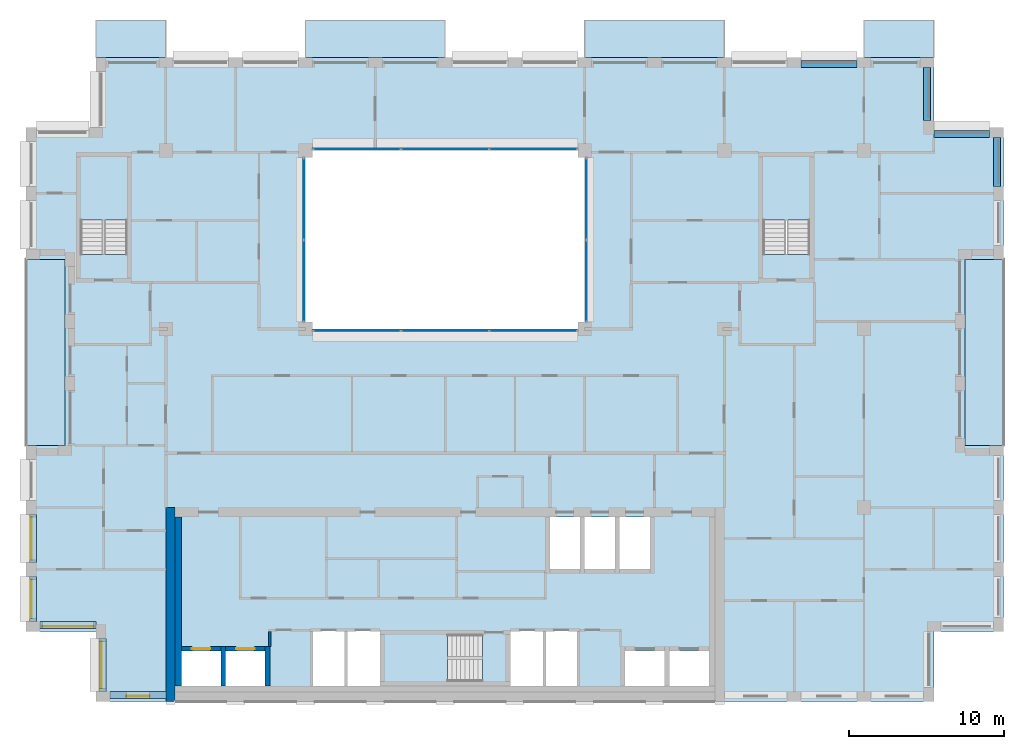
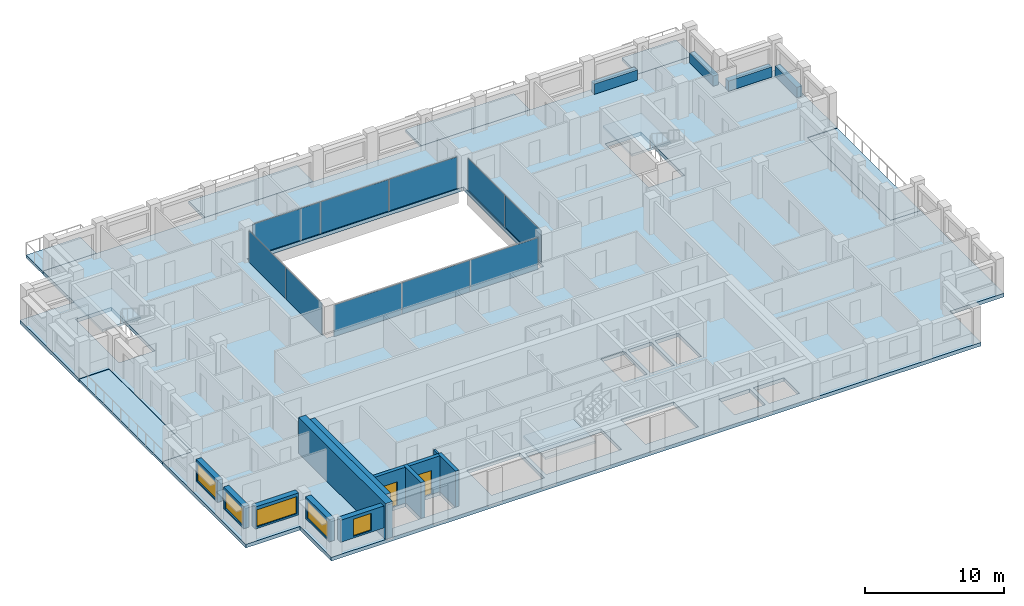
# One storey, part 7 of 15: 12 walls, 10 plates, 10 slabs, 5 windows, 4 beams, 2 doors, 7 openings, 7 elements without a shape of their own.
"""IFC4 building model written with IfcOpenShell, lengths in metres."""

from ifc_helpers import new_model, si_unit, direction, frame, frame_2d, origin, origin_2d, place, context, subcontext, project, spatial, polyline, rectangle, outline, extrude, material, layer, layer_set, material_profile, profile_set, type_object, element, fill, aggregate, save


model = new_model("IFC4")

# Units and contexts
model_context = context("Model", 3, precision=1e-05, world=origin(), true_north=direction((0.0, 1.0)))
body_context = subcontext(model_context, "Body", "Model", "MODEL_VIEW")
ifc_project = project(units=[si_unit("LENGTHUNIT", "METRE"), si_unit("AREAUNIT", "SQUARE_METRE"), si_unit("VOLUMEUNIT", "CUBIC_METRE"), si_unit("PLANEANGLEUNIT", "RADIAN"), si_unit("MASSUNIT", "GRAM", prefix="KILO")], contexts=[model_context])

# Site, building, storey
site_placement = place(None, origin())
site = spatial("IfcSite", under=ifc_project, at=site_placement, CompositionType="ELEMENT")
building_placement = place(site_placement, origin())
building = spatial("IfcBuilding", under=site, at=building_placement, Name="Brigalow Station Residences", CompositionType="ELEMENT")
storey_placement = place(building_placement, frame((0.0, 0.0, 223.199951171875)))
storey = spatial("IfcBuildingStorey", under=building, at=storey_placement, Name="L64", CompositionType="ELEMENT", Elevation=223.199951171875)

# Beams
ifc_material_1 = material(Name="Concrete C50", Category="concrete")
ifc_material_profile = material_profile(ifc_material_1, rectangle(XDim=0.449951171875, YDim=0.89990234375, at=origin_2d()), Name="RC450x900")
ifc_profile_set = profile_set([ifc_material_profile], Name="Concrete C50")
beam_type = type_object("IfcBeamType", Name="SPANDREL BEAM 450x900 C50", PredefinedType="SPANDREL", material=ifc_profile_set)
beam_1_placement = place(storey_placement, frame((71.574951171875, 33.199951171875, 0.449951171875), z_axis=(0.0, 1.0, 0.0), x_axis=(-1.0, 0.0, 0.0)))
element("IfcBeam", 1, at=beam_1_placement, inside=storey, type_object=beam_type, Name="L64/spandrel/W-L64-17", PredefinedType="SPANDREL", context=body_context, shape_type="SweptSolid", body=[
    extrude(rectangle(XDim=0.449951171875, YDim=0.89990234375, at=origin_2d()), origin(), (0.0, 0.0, 1.0), 3.150146484375),
])
beam_2_placement = place(storey_placement, frame((71.10009765625, 36.574951171875, 0.449951171875), z_axis=(-1.0, 0.0, 0.0), x_axis=(0.0, -1.0, 0.0)))
element("IfcBeam", 2, at=beam_2_placement, inside=storey, type_object=beam_type, Name="L64/spandrel/W-L64-18", PredefinedType="SPANDREL", context=body_context, shape_type="SweptSolid", body=[
    extrude(rectangle(XDim=0.449951171875, YDim=0.89990234375, at=origin_2d()), origin(), (0.0, 0.0, 1.0), 3.60009765625),
])
beam_3_placement = place(storey_placement, frame((67.074951171875, 37.449951171875, 0.449951171875), z_axis=(0.0, 1.0, 0.0), x_axis=(-1.0, 0.0, 0.0)))
element("IfcBeam", 3, at=beam_3_placement, inside=storey, type_object=beam_type, Name="L64/spandrel/W-L64-19", PredefinedType="SPANDREL", context=body_context, shape_type="SweptSolid", body=[
    extrude(rectangle(XDim=0.449951171875, YDim=0.89990234375, at=origin_2d()), origin(), (0.0, 0.0, 1.0), 3.400146484375),
])
beam_4_placement = place(storey_placement, frame((62.550048828125, 41.074951171875, 0.449951171875), z_axis=(-1.0, 0.0, 0.0), x_axis=(0.0, -1.0, 0.0)))
element("IfcBeam", 4, at=beam_4_placement, inside=storey, type_object=beam_type, Name="L64/spandrel/W-L64-21", PredefinedType="SPANDREL", context=body_context, shape_type="SweptSolid", body=[
    extrude(rectangle(XDim=0.449951171875, YDim=0.89990234375, at=origin_2d()), origin(), (0.0, 0.0, 1.0), 3.60009765625),
])

# Curtain wall, plates
ifc_material_2 = material(Name="Aluminium", Category="aluminium")
ifc_layer_1 = layer(ifc_material_2, 0.14990234375)
ifc_layer_set_1 = layer_set([ifc_layer_1], Name="ATRIUM FIRE-RATED GLAZING CURTAIN WALL")
curtain_wall_type = type_object("IfcCurtainWallType", Name="ATRIUM FIRE-RATED GLAZING CURTAIN WALL", PredefinedType="NOTDEFINED", material=ifc_layer_set_1)
curtain_wall_1_placement = place(storey_placement, origin())
curtain_wall_1 = element("IfcCurtainWall", 5, at=curtain_wall_1_placement, inside=storey, type_object=curtain_wall_type, Name="L64/cw/atrium-S", PredefinedType="NOTDEFINED")
ifc_material_3 = material(Name="Fire-resisting laminated glazing, FRL -/60/-", Category="glass")
ifc_layer_2 = layer(ifc_material_3, 0.031982421875)
ifc_layer_set_2 = layer_set([ifc_layer_2], Name="ATRIUM FIRE-RATED GLAZING PANEL 32")
plate_type = type_object("IfcPlateType", Name="ATRIUM FIRE-RATED GLAZING PANEL 32", PredefinedType="CURTAIN_PANEL", material=ifc_layer_set_2)
plate_1_placement = place(storey_placement, frame((30.31494140625, 23.89990234375, 0.0), z_axis=(0.0, 0.0, 1.0), x_axis=(1.0, 0.0, 0.0)))
plate_1 = element("IfcPlate", 6, at=plate_1_placement, type_object=plate_type, Name="L64/cw/atrium-S/P00-00", PredefinedType="CURTAIN_PANEL", context=body_context, shape_type="SweptSolid", body=[
    extrude(rectangle(XDim=5.610107421875, YDim=0.031982421875, at=origin_2d()), origin(), (0.0, 0.0, 1.0), 2.77001953125),
])
plate_2_placement = place(storey_placement, frame((36.0, 23.89990234375, 0.0), z_axis=(0.0, 0.0, 1.0), x_axis=(1.0, 0.0, 0.0)))
plate_2 = element("IfcPlate", 7, at=plate_2_placement, type_object=plate_type, Name="L64/cw/atrium-S/P01-00", PredefinedType="CURTAIN_PANEL", context=body_context, shape_type="SweptSolid", body=[
    extrude(rectangle(XDim=5.639892578125, YDim=0.031982421875, at=origin_2d()), origin(), (0.0, 0.0, 1.0), 2.77001953125),
])
plate_3_placement = place(storey_placement, frame((41.68505859375, 23.89990234375, 0.0), z_axis=(0.0, 0.0, 1.0), x_axis=(1.0, 0.0, 0.0)))
plate_3 = element("IfcPlate", 8, at=plate_3_placement, type_object=plate_type, Name="L64/cw/atrium-S/P02-00", PredefinedType="CURTAIN_PANEL", context=body_context, shape_type="SweptSolid", body=[
    extrude(rectangle(XDim=5.610107421875, YDim=0.031982421875, at=origin_2d()), origin(), (0.0, 0.0, 1.0), 2.77001953125),
])
aggregate(curtain_wall_1, [plate_1, plate_2, plate_3])

curtain_wall_2_placement = place(storey_placement, origin())
curtain_wall_2 = element("IfcCurtainWall", 9, at=curtain_wall_2_placement, inside=storey, type_object=curtain_wall_type, Name="L64/cw/atrium-E", PredefinedType="NOTDEFINED")
plate_4_placement = place(storey_placement, frame((45.10009765625, 27.114990234375, 0.0), z_axis=(0.0, 0.0, 1.0), x_axis=(0.0, 1.0, 0.0)))
plate_4 = element("IfcPlate", 10, at=plate_4_placement, type_object=plate_type, Name="L64/cw/atrium-E/P00-00", PredefinedType="CURTAIN_PANEL", context=body_context, shape_type="SweptSolid", body=[
    extrude(rectangle(XDim=5.2099609375, YDim=0.031982421875, at=origin_2d()), origin(), (0.0, 0.0, 1.0), 2.77001953125),
])
plate_5_placement = place(storey_placement, frame((45.10009765625, 32.385009765625, 0.0), z_axis=(0.0, 0.0, 1.0), x_axis=(0.0, 1.0, 0.0)))
plate_5 = element("IfcPlate", 11, at=plate_5_placement, type_object=plate_type, Name="L64/cw/atrium-E/P01-00", PredefinedType="CURTAIN_PANEL", context=body_context, shape_type="SweptSolid", body=[
    extrude(rectangle(XDim=5.2099609375, YDim=0.031982421875, at=origin_2d()), origin(), (0.0, 0.0, 1.0), 2.77001953125),
])
aggregate(curtain_wall_2, [plate_4, plate_5])

curtain_wall_3_placement = place(storey_placement, origin())
curtain_wall_3 = element("IfcCurtainWall", 12, at=curtain_wall_3_placement, inside=storey, type_object=curtain_wall_type, Name="L64/cw/atrium-N", PredefinedType="NOTDEFINED")
plate_6_placement = place(storey_placement, frame((41.68505859375, 35.60009765625, 0.0), z_axis=(0.0, 0.0, 1.0), x_axis=(-1.0, 0.0, 0.0)))
plate_6 = element("IfcPlate", 13, at=plate_6_placement, type_object=plate_type, Name="L64/cw/atrium-N/P00-00", PredefinedType="CURTAIN_PANEL", context=body_context, shape_type="SweptSolid", body=[
    extrude(rectangle(XDim=5.610107421875, YDim=0.031982421875, at=origin_2d()), origin(), (0.0, 0.0, 1.0), 2.77001953125),
])
plate_7_placement = place(storey_placement, frame((36.0, 35.60009765625, 0.0), z_axis=(0.0, 0.0, 1.0), x_axis=(-1.0, 0.0, 0.0)))
plate_7 = element("IfcPlate", 14, at=plate_7_placement, type_object=plate_type, Name="L64/cw/atrium-N/P01-00", PredefinedType="CURTAIN_PANEL", context=body_context, shape_type="SweptSolid", body=[
    extrude(rectangle(XDim=5.639892578125, YDim=0.031982421875, at=origin_2d()), origin(), (0.0, 0.0, 1.0), 2.77001953125),
])
plate_8_placement = place(storey_placement, frame((30.31494140625, 35.60009765625, 0.0), z_axis=(0.0, 0.0, 1.0), x_axis=(-1.0, 0.0, 0.0)))
plate_8 = element("IfcPlate", 15, at=plate_8_placement, type_object=plate_type, Name="L64/cw/atrium-N/P02-00", PredefinedType="CURTAIN_PANEL", context=body_context, shape_type="SweptSolid", body=[
    extrude(rectangle(XDim=5.610107421875, YDim=0.031982421875, at=origin_2d()), origin(), (0.0, 0.0, 1.0), 2.77001953125),
])
aggregate(curtain_wall_3, [plate_6, plate_7, plate_8])

curtain_wall_4_placement = place(storey_placement, origin())
curtain_wall_4 = element("IfcCurtainWall", 16, at=curtain_wall_4_placement, inside=storey, type_object=curtain_wall_type, Name="L64/cw/atrium-W", PredefinedType="NOTDEFINED")
plate_9_placement = place(storey_placement, frame((26.89990234375, 32.385009765625, 0.0), z_axis=(0.0, 0.0, 1.0), x_axis=(0.0, -1.0, 0.0)))
plate_9 = element("IfcPlate", 17, at=plate_9_placement, type_object=plate_type, Name="L64/cw/atrium-W/P00-00", PredefinedType="CURTAIN_PANEL", context=body_context, shape_type="SweptSolid", body=[
    extrude(rectangle(XDim=5.2099609375, YDim=0.031982421875, at=origin_2d()), origin(), (0.0, 0.0, 1.0), 2.77001953125),
])
plate_10_placement = place(storey_placement, frame((26.89990234375, 27.114990234375, 0.0), z_axis=(0.0, 0.0, 1.0), x_axis=(0.0, -1.0, 0.0)))
plate_10 = element("IfcPlate", 18, at=plate_10_placement, type_object=plate_type, Name="L64/cw/atrium-W/P01-00", PredefinedType="CURTAIN_PANEL", context=body_context, shape_type="SweptSolid", body=[
    extrude(rectangle(XDim=5.2099609375, YDim=0.031982421875, at=origin_2d()), origin(), (0.0, 0.0, 1.0), 2.77001953125),
])
aggregate(curtain_wall_4, [plate_9, plate_10])

# Slabs
ifc_material_4 = material(Name="Concrete C50 precast", Category="concrete")
ifc_layer_3 = layer(ifc_material_4, 0.25)
ifc_layer_set_3 = layer_set([ifc_layer_3], Name="BALCONY SLAB 250")
slab_type_1 = type_object("IfcSlabType", Name="BALCONY SLAB 250", PredefinedType="USERDEFINED", material=ifc_layer_set_3)
slab_1_placement = place(storey_placement, frame((0.0, 0.0, -0.2900390625)))
element("IfcSlab", 19, at=slab_1_placement, inside=storey, type_object=slab_type_1, Name="L64/balcony/1", ObjectType="BALCONY", PredefinedType="USERDEFINED", context=body_context, shape_type="SweptSolid", body=[
    extrude(outline(polyline([(69.5, 16.5), (72.0, 16.5), (72.0, 28.5), (69.5, 28.5), (69.5, 16.5)])), origin(), (0.0, 0.0, 1.0), 0.25),
])
slab_2_placement = place(storey_placement, frame((0.0, 0.0, -0.2900390625)))
element("IfcSlab", 20, at=slab_2_placement, inside=storey, type_object=slab_type_1, Name="L64/balcony/2", ObjectType="BALCONY", PredefinedType="USERDEFINED", context=body_context, shape_type="SweptSolid", body=[
    extrude(outline(polyline([(67.5, 41.5), (67.5, 43.89990234375), (63.0, 43.89990234375), (63.0, 41.5), (67.5, 41.5)])), origin(), (0.0, 0.0, 1.0), 0.25),
])
slab_3_placement = place(storey_placement, frame((0.0, 0.0, -0.2900390625)))
element("IfcSlab", 21, at=slab_3_placement, inside=storey, type_object=slab_type_1, Name="L64/balcony/3", ObjectType="BALCONY", PredefinedType="USERDEFINED", context=body_context, shape_type="SweptSolid", body=[
    extrude(outline(polyline([(54.0, 41.5), (54.0, 43.89990234375), (45.0, 43.89990234375), (45.0, 41.5), (54.0, 41.5)])), origin(), (0.0, 0.0, 1.0), 0.25),
])
slab_4_placement = place(storey_placement, frame((0.0, 0.0, -0.2900390625)))
element("IfcSlab", 22, at=slab_4_placement, inside=storey, type_object=slab_type_1, Name="L64/balcony/4", ObjectType="BALCONY", PredefinedType="USERDEFINED", context=body_context, shape_type="SweptSolid", body=[
    extrude(outline(polyline([(36.0, 41.5), (36.0, 43.89990234375), (27.0, 43.89990234375), (27.0, 41.5), (36.0, 41.5)])), origin(), (0.0, 0.0, 1.0), 0.25),
])
slab_5_placement = place(storey_placement, frame((0.0, 0.0, -0.2900390625)))
element("IfcSlab", 23, at=slab_5_placement, inside=storey, type_object=slab_type_1, Name="L64/balcony/5", ObjectType="BALCONY", PredefinedType="USERDEFINED", context=body_context, shape_type="SweptSolid", body=[
    extrude(outline(polyline([(18.0, 41.5), (18.0, 43.89990234375), (13.5, 43.89990234375), (13.5, 41.5), (18.0, 41.5)])), origin(), (0.0, 0.0, 1.0), 0.25),
])
slab_6_placement = place(storey_placement, frame((0.0, 0.0, -0.2900390625)))
element("IfcSlab", 24, at=slab_6_placement, inside=storey, type_object=slab_type_1, Name="L64/balcony/6", ObjectType="BALCONY", PredefinedType="USERDEFINED", context=body_context, shape_type="SweptSolid", body=[
    extrude(outline(polyline([(11.5, 28.5), (9.0, 28.5), (9.0, 16.5), (11.5, 16.5), (11.5, 28.5)])), origin(), (0.0, 0.0, 1.0), 0.25),
])
ifc_material_5 = material(Name="Concrete C50", Category="concrete")
ifc_layer_4 = layer(ifc_material_5, 0.320068359375)
ifc_layer_set_4 = layer_set([ifc_layer_4], Name="POST-TENSIONED FLAT PLATE 320 C50")
slab_type_2 = type_object("IfcSlabType", Name="POST-TENSIONED FLAT PLATE 320 C50", PredefinedType="FLOOR", material=ifc_layer_set_4)
slab_7_placement = place(storey_placement, frame((0.0, 0.0, -0.320068359375)))
element("IfcSlab", 25, at=slab_7_placement, inside=storey, type_object=slab_type_2, Name="FLOOR SLAB L64", PredefinedType="FLOOR", context=body_context, shape_type="SweptSolid", body=[
    extrude(outline(polyline([(13.5, 0.0), (67.5, 0.0), (67.5, 4.5), (72.0, 4.5), (72.0, 16.5), (69.5, 16.5), (69.5, 28.5), (72.0, 28.5), (72.0, 37.0), (67.5, 37.0), (67.5, 41.5), (13.5, 41.5), (13.5, 37.0), (9.0, 37.0), (9.0, 28.5), (11.5, 28.5), (11.5, 16.5), (9.0, 16.5), (9.0, 4.5), (13.5, 4.5), (13.5, 0.0)]), holes=[polyline([(12.5048828125, 35.094970703125), (15.4951171875, 35.094970703125), (15.4951171875, 28.804931640625), (12.5048828125, 28.804931640625), (12.5048828125, 35.094970703125)]), polyline([(19.0, 1.0), (19.0, 3.25), (21.550048828125, 3.25), (21.550048828125, 1.0), (19.0, 1.0)]), polyline([(21.85009765625, 3.25), (24.39990234375, 3.25), (24.39990234375, 1.0), (21.85009765625, 1.0), (21.85009765625, 3.25)]), polyline([(27.0, 35.5), (45.0, 35.5), (45.0, 24.0), (27.0, 24.0), (27.0, 35.5)]), polyline([(29.60009765625, 4.60009765625), (31.800048828125, 4.60009765625), (31.800048828125, 1.0), (29.60009765625, 1.0), (27.39990234375, 1.0), (27.39990234375, 4.60009765625), (29.60009765625, 4.60009765625)]), polyline([(32.10498046875, 4.294921875), (38.39501953125, 4.294921875), (38.39501953125, 1.304931640625), (32.10498046875, 1.304931640625), (32.10498046875, 4.294921875)]), polyline([(40.199951171875, 4.60009765625), (42.39990234375, 4.60009765625), (44.60009765625, 4.60009765625), (44.60009765625, 1.0), (42.39990234375, 1.0), (40.199951171875, 1.0), (40.199951171875, 4.60009765625)]), polyline([(42.75, 11.89990234375), (44.699951171875, 11.89990234375), (44.699951171875, 8.550048828125), (42.75, 8.550048828125), (42.75, 11.89990234375)]), polyline([(45.0, 11.89990234375), (46.949951171875, 11.89990234375), (46.949951171875, 8.550048828125), (45.0, 8.550048828125), (45.0, 11.89990234375)]), polyline([(47.25, 11.89990234375), (49.199951171875, 11.89990234375), (49.199951171875, 8.550048828125), (47.25, 8.550048828125), (47.25, 11.89990234375)]), polyline([(47.60009765625, 3.25), (50.14990234375, 3.25), (50.14990234375, 1.0), (47.60009765625, 1.0), (47.60009765625, 3.25)]), polyline([(50.449951171875, 3.25), (53.0, 3.25), (53.0, 1.0), (50.449951171875, 1.0), (50.449951171875, 3.25)]), polyline([(56.5048828125, 35.094970703125), (59.4951171875, 35.094970703125), (59.4951171875, 28.804931640625), (56.5048828125, 28.804931640625), (56.5048828125, 35.094970703125)])]), origin(), (0.0, 0.0, 1.0), 0.320068359375),
])

# Stair, slab
ifc_material_6 = material(Name="Concrete C50", Category="concrete")
stair_type = type_object("IfcStairType", Name="EXIT STAIR 1400 2 FLIGHT", PredefinedType="HALF_TURN_STAIR", material=ifc_material_6)
stair_1_placement = place(storey_placement, origin())
stair_1 = element("IfcStair", 26, at=stair_1_placement, inside=storey, type_object=stair_type, Name="EXIT STAIR S2 L64", PredefinedType="HALF_TURN_STAIR")
ifc_material_7 = material(Name="Concrete C50", Category="concrete")
ifc_layer_5 = layer(ifc_material_7, 0.199951171875)
ifc_layer_set_5 = layer_set([ifc_layer_5], Name="STAIR LANDING 200")
slab_type_3 = type_object("IfcSlabType", Name="STAIR LANDING 200", PredefinedType="LANDING", material=ifc_layer_set_5)
slab_8_placement = place(storey_placement, frame((0.0, 0.0, 1.375)))
slab_8 = element("IfcSlab", 27, at=slab_8_placement, type_object=slab_type_3, Name="ST-2 landing 1", PredefinedType="LANDING", context=body_context, shape_type="SweptSolid", body=[
    extrude(outline(polyline([(32.0, 1.199951171875), (36.159912109375, 1.199951171875), (36.159912109375, 4.39990234375), (32.0, 4.39990234375), (32.0, 1.199951171875)])), origin(), (0.0, 0.0, 1.0), 0.199951171875),
])
aggregate(stair_1, [slab_8])

stair_2_placement = place(storey_placement, origin())
stair_2 = element("IfcStair", 28, at=stair_2_placement, inside=storey, type_object=stair_type, Name="EXIT STAIR S1 L64", PredefinedType="HALF_TURN_STAIR")
slab_9_placement = place(storey_placement, frame((0.0, 0.0, 1.375)))
slab_9 = element("IfcSlab", 29, at=slab_9_placement, type_object=slab_type_3, Name="ST-1 landing 1", PredefinedType="LANDING", context=body_context, shape_type="SweptSolid", body=[
    extrude(outline(polyline([(12.39990234375, 31.0400390625), (15.60009765625, 31.0400390625), (15.60009765625, 35.199951171875), (12.39990234375, 35.199951171875), (12.39990234375, 31.0400390625)])), origin(), (0.0, 0.0, 1.0), 0.199951171875),
])
aggregate(stair_2, [slab_9])

stair_3_placement = place(storey_placement, origin())
stair_3 = element("IfcStair", 30, at=stair_3_placement, inside=storey, type_object=stair_type, Name="EXIT STAIR S3 L64", PredefinedType="HALF_TURN_STAIR")
slab_10_placement = place(storey_placement, frame((0.0, 0.0, 1.375)))
slab_10 = element("IfcSlab", 31, at=slab_10_placement, type_object=slab_type_3, Name="ST-3 landing 1", PredefinedType="LANDING", context=body_context, shape_type="SweptSolid", body=[
    extrude(outline(polyline([(56.39990234375, 31.0400390625), (59.60009765625, 31.0400390625), (59.60009765625, 35.199951171875), (56.39990234375, 35.199951171875), (56.39990234375, 31.0400390625)])), origin(), (0.0, 0.0, 1.0), 0.199951171875),
])
aggregate(stair_3, [slab_10])

# Wall, opening, window
ifc_material_8 = material(Name="Clay brick masonry", Category="masonry")
ifc_layer_6 = layer(ifc_material_8, 0.449951171875)
ifc_layer_set_6 = layer_set([ifc_layer_6], Name="BRICK INFILL WALL 450")
wall_type_1 = type_object("IfcWallType", Name="BRICK INFILL WALL 450", PredefinedType="SOLIDWALL", material=ifc_layer_set_6)
wall_1_placement = place(storey_placement, frame((14.39990234375, 0.425048828125, 0.900146484375), z_axis=(0.0, 0.0, 1.0), x_axis=(1.0, 0.0, 0.0)))
wall_1 = element("IfcWall", 32, at=wall_1_placement, inside=storey, type_object=wall_type_1, Name="L64/ewall/W-L64-1", PredefinedType="SOLIDWALL", context=body_context, shape_type="SweptSolid", body=[
    extrude(rectangle(XDim=3.60009765625, YDim=0.449951171875, at=frame_2d((1.800048828125, 0.0))), origin(), (0.0, 0.0, 1.0), 1.929931640625),
])
opening_1_placement = place(wall_1_placement, frame((1.050048828125, 0.0, 0.14990234375)))
opening_1 = element("IfcOpeningElement", 33, at=opening_1_placement, cuts=wall_1, Name="Opening WT-1", PredefinedType="OPENING", context=body_context, shape_type="SweptSolid", body=[
    extrude(rectangle(XDim=1.5, YDim=1.5, at=frame_2d((0.75, 0.75))), frame((0.0, 0.23486328125, 0.0), z_axis=(0.0, -1.0, 0.0), x_axis=(1.0, 0.0, 0.0)), (0.0, 0.0, 1.0), 0.469970703125),
])
ifc_material_9 = material(Name="Anodised aluminium frame with double glazing", Category="aluminium")
window_type_1 = type_object("IfcWindowType", Name="WINDOW 1500x1500", PartitioningType="SINGLE_PANEL", PredefinedType="WINDOW", material=ifc_material_9)
window_1_placement = place(opening_1_placement, origin())
window_1 = element("IfcWindow", 34, at=window_1_placement, inside=storey, type_object=window_type_1, Name="L64/window/W-L64-1", OverallHeight=1.5, OverallWidth=1.5, PartitioningType="SINGLE_PANEL", PredefinedType="WINDOW", context=body_context, shape_type="SweptSolid", body=[
    extrude(rectangle(XDim=1.5, YDim=1.5, at=frame_2d((0.75, 0.75))), frame((0.0, -0.06494140625, 0.0), z_axis=(0.0, -1.0, 0.0), x_axis=(1.0, 0.0, 0.0)), (0.0, 0.0, 1.0), 0.06005859375),
])
fill(opening_1, window_1)

wall_2_placement = place(storey_placement, frame((9.425048828125, 12.050048828125, 0.900146484375), z_axis=(0.0, 0.0, 1.0), x_axis=(0.0, -1.0, 0.0)))
wall_2 = element("IfcWall", 35, at=wall_2_placement, inside=storey, type_object=wall_type_1, Name="L64/ewall/W-L64-42", PredefinedType="SOLIDWALL", context=body_context, shape_type="SweptSolid", body=[
    extrude(rectangle(XDim=3.10009765625, YDim=0.449951171875, at=frame_2d((1.550048828125, 0.0))), origin(), (0.0, 0.0, 1.0), 1.929931640625),
])
opening_2_placement = place(wall_2_placement, frame((0.175048828125, 0.0, 0.14990234375)))
opening_2 = element("IfcOpeningElement", 36, at=opening_2_placement, cuts=wall_2, Name="Opening WT-3", PredefinedType="OPENING", context=body_context, shape_type="SweptSolid", body=[
    extrude(rectangle(XDim=2.75, YDim=1.5, at=frame_2d((1.375, 0.75))), frame((0.0, 0.23486328125, 0.0), z_axis=(0.0, -1.0, 0.0), x_axis=(1.0, 0.0, 0.0)), (0.0, 0.0, 1.0), 0.469970703125),
])
ifc_material_10 = material(Name="Anodised aluminium frame with double glazing", Category="aluminium")
window_type_2 = type_object("IfcWindowType", Name="WINDOW 2750x1500", PartitioningType="SINGLE_PANEL", PredefinedType="WINDOW", material=ifc_material_10)
window_2_placement = place(opening_2_placement, origin())
window_2 = element("IfcWindow", 37, at=window_2_placement, inside=storey, type_object=window_type_2, Name="L64/window/W-L64-42", OverallHeight=1.5, OverallWidth=2.75, PartitioningType="SINGLE_PANEL", PredefinedType="WINDOW", context=body_context, shape_type="SweptSolid", body=[
    extrude(rectangle(XDim=2.75, YDim=1.5, at=frame_2d((1.375, 0.75))), frame((0.0, -0.06494140625, 0.0), z_axis=(0.0, -1.0, 0.0), x_axis=(1.0, 0.0, 0.0)), (0.0, 0.0, 1.0), 0.06005859375),
])
fill(opening_2, window_2)

wall_3_placement = place(storey_placement, frame((9.425048828125, 8.050048828125, 0.900146484375), z_axis=(0.0, 0.0, 1.0), x_axis=(0.0, -1.0, 0.0)))
wall_3 = element("IfcWall", 38, at=wall_3_placement, inside=storey, type_object=wall_type_1, Name="L64/ewall/W-L64-43", PredefinedType="SOLIDWALL", context=body_context, shape_type="SweptSolid", body=[
    extrude(rectangle(XDim=2.900146484375, YDim=0.449951171875, at=frame_2d((1.4501953125, 0.0))), origin(), (0.0, 0.0, 1.0), 1.929931640625),
])
opening_3_placement = place(wall_3_placement, frame((0.199951171875, 0.0, 0.14990234375)))
opening_3 = element("IfcOpeningElement", 39, at=opening_3_placement, cuts=wall_3, Name="Opening WT-5", PredefinedType="OPENING", context=body_context, shape_type="SweptSolid", body=[
    extrude(rectangle(XDim=2.5, YDim=1.5, at=frame_2d((1.25, 0.75))), frame((0.0, 0.23486328125, 0.0), z_axis=(0.0, -1.0, 0.0), x_axis=(1.0, 0.0, 0.0)), (0.0, 0.0, 1.0), 0.469970703125),
])
ifc_material_11 = material(Name="Anodised aluminium frame with double glazing", Category="aluminium")
window_type_3 = type_object("IfcWindowType", Name="WINDOW 2500x1500", PartitioningType="SINGLE_PANEL", PredefinedType="WINDOW", material=ifc_material_11)
window_3_placement = place(opening_3_placement, origin())
window_3 = element("IfcWindow", 40, at=window_3_placement, inside=storey, type_object=window_type_3, Name="L64/window/W-L64-43", OverallHeight=1.5, OverallWidth=2.5, PartitioningType="SINGLE_PANEL", PredefinedType="WINDOW", context=body_context, shape_type="SweptSolid", body=[
    extrude(rectangle(XDim=2.5, YDim=1.5, at=frame_2d((1.25, 0.75))), frame((0.0, -0.06494140625, 0.0), z_axis=(0.0, -1.0, 0.0), x_axis=(1.0, 0.0, 0.0)), (0.0, 0.0, 1.0), 0.06005859375),
])
fill(opening_3, window_3)

wall_4_placement = place(storey_placement, frame((9.89990234375, 4.925048828125, 0.900146484375), z_axis=(0.0, 0.0, 1.0), x_axis=(1.0, 0.0, 0.0)))
wall_4 = element("IfcWall", 41, at=wall_4_placement, inside=storey, type_object=wall_type_1, Name="L64/ewall/W-L64-44", PredefinedType="SOLIDWALL", context=body_context, shape_type="SweptSolid", body=[
    extrude(rectangle(XDim=3.60009765625, YDim=0.449951171875, at=frame_2d((1.800048828125, 0.0))), origin(), (0.0, 0.0, 1.0), 1.929931640625),
])
opening_4_placement = place(wall_4_placement, frame((0.14990234375, 0.0, 0.14990234375)))
opening_4 = element("IfcOpeningElement", 42, at=opening_4_placement, cuts=wall_4, Name="Opening WT-10", PredefinedType="OPENING", context=body_context, shape_type="SweptSolid", body=[
    extrude(rectangle(XDim=3.300048828125, YDim=1.5, at=frame_2d((1.64990234375, 0.75))), frame((0.0, 0.23486328125, 0.0), z_axis=(0.0, -1.0, 0.0), x_axis=(1.0, 0.0, 0.0)), (0.0, 0.0, 1.0), 0.469970703125),
])
ifc_material_12 = material(Name="Anodised aluminium frame with double glazing", Category="aluminium")
window_type_4 = type_object("IfcWindowType", Name="WINDOW 3300x1500", PartitioningType="SINGLE_PANEL", PredefinedType="WINDOW", material=ifc_material_12)
window_4_placement = place(opening_4_placement, origin())
window_4 = element("IfcWindow", 43, at=window_4_placement, inside=storey, type_object=window_type_4, Name="L64/window/W-L64-44", OverallHeight=1.5, OverallWidth=3.300048828125, PartitioningType="SINGLE_PANEL", PredefinedType="WINDOW", context=body_context, shape_type="SweptSolid", body=[
    extrude(rectangle(XDim=3.300048828125, YDim=1.5, at=frame_2d((1.64990234375, 0.75))), frame((0.0, -0.06494140625, 0.0), z_axis=(0.0, -1.0, 0.0), x_axis=(1.0, 0.0, 0.0)), (0.0, 0.0, 1.0), 0.06005859375),
])
fill(opening_4, window_4)

wall_5_placement = place(storey_placement, frame((13.925048828125, 4.050048828125, 0.900146484375), z_axis=(0.0, 0.0, 1.0), x_axis=(0.0, -1.0, 0.0)))
wall_5 = element("IfcWall", 44, at=wall_5_placement, inside=storey, type_object=wall_type_1, Name="L64/ewall/W-L64-45", PredefinedType="SOLIDWALL", context=body_context, shape_type="SweptSolid", body=[
    extrude(rectangle(XDim=3.400146484375, YDim=0.449951171875, at=frame_2d((1.7001953125, 0.0))), origin(), (0.0, 0.0, 1.0), 1.929931640625),
])
opening_5_placement = place(wall_5_placement, frame((0.199951171875, 0.0, 0.14990234375)))
opening_5 = element("IfcOpeningElement", 45, at=opening_5_placement, cuts=wall_5, Name="Opening WT-2", PredefinedType="OPENING", context=body_context, shape_type="SweptSolid", body=[
    extrude(rectangle(XDim=3.0, YDim=1.5, at=frame_2d((1.5, 0.75))), frame((0.0, 0.23486328125, 0.0), z_axis=(0.0, -1.0, 0.0), x_axis=(1.0, 0.0, 0.0)), (0.0, 0.0, 1.0), 0.469970703125),
])
ifc_material_13 = material(Name="Anodised aluminium frame with double glazing", Category="aluminium")
window_type_5 = type_object("IfcWindowType", Name="WINDOW 3000x1500", PartitioningType="SINGLE_PANEL", PredefinedType="WINDOW", material=ifc_material_13)
window_5_placement = place(opening_5_placement, origin())
window_5 = element("IfcWindow", 46, at=window_5_placement, inside=storey, type_object=window_type_5, Name="L64/window/W-L64-45", OverallHeight=1.5, OverallWidth=3.0, PartitioningType="SINGLE_PANEL", PredefinedType="WINDOW", context=body_context, shape_type="SweptSolid", body=[
    extrude(rectangle(XDim=3.0, YDim=1.5, at=frame_2d((1.5, 0.75))), frame((0.0, -0.06494140625, 0.0), z_axis=(0.0, -1.0, 0.0), x_axis=(1.0, 0.0, 0.0)), (0.0, 0.0, 1.0), 0.06005859375),
])
fill(opening_5, window_5)

# Wall, opening, door
ifc_material_14 = material(Name="Concrete C50", Category="concrete")
ifc_layer_7 = layer(ifc_material_14, 0.300048828125)
ifc_layer_set_7 = layer_set([ifc_layer_7], Name="CORE SHEAR WALL 300 C50")
wall_type_2 = type_object("IfcWallType", Name="CORE SHEAR WALL 300 C50", PredefinedType="SHEAR", material=ifc_layer_set_7)
wall_6_placement = place(storey_placement, frame((19.0, 3.39990234375, 0.0), z_axis=(0.0, 0.0, 1.0), x_axis=(1.0, 0.0, 0.0)))
wall_6 = element("IfcWall", 47, at=wall_6_placement, inside=storey, type_object=wall_type_2, Name="CORE WALL SH-C1-N L64", PredefinedType="SHEAR", context=body_context, shape_type="SweptSolid", body=[
    extrude(rectangle(XDim=2.550048828125, YDim=0.300048828125, at=frame_2d((1.27490234375, 0.0))), origin(), (0.0, 0.0, 1.0), 3.150146484375),
])
opening_6_placement = place(wall_6_placement, frame((0.675048828125, 0.0, 0.0)))
opening_6 = element("IfcOpeningElement", 48, at=opening_6_placement, cuts=wall_6, Name="Opening LD-LB1", PredefinedType="OPENING", context=body_context, shape_type="SweptSolid", body=[
    extrude(rectangle(XDim=1.199951171875, YDim=2.10009765625, at=frame_2d((0.60009765625, 1.050048828125))), frame((0.0, 0.16015625, 0.0), z_axis=(0.0, -1.0, 0.0), x_axis=(1.0, 0.0, 0.0)), (0.0, 0.0, 1.0), 0.320068359375),
])
ifc_material_15 = material(Name="Stainless steel sliding door leaves", Category="steel")
door_type = type_object("IfcDoorType", Name="LIFT LANDING DOOR 1200 x 2100", OperationType="DOUBLE_DOOR_SLIDING", PredefinedType="DOOR", material=ifc_material_15)
door_1_placement = place(opening_6_placement, origin())
door_1 = element("IfcDoor", 49, at=door_1_placement, inside=storey, type_object=door_type, Name="LANDING DOOR LB1", OperationType="DOUBLE_DOOR_SLIDING", OverallHeight=2.10009765625, OverallWidth=1.199951171875, PredefinedType="DOOR", context=body_context, shape_type="SweptSolid", body=[
    extrude(rectangle(XDim=1.199951171875, YDim=2.10009765625, at=frame_2d((0.60009765625, 1.050048828125))), frame((0.0, 0.02490234375, 0.0), z_axis=(0.0, -1.0, 0.0), x_axis=(1.0, 0.0, 0.0)), (0.0, 0.0, 1.0), 0.050048828125),
])
fill(opening_6, door_1)

wall_7_placement = place(storey_placement, frame((21.85009765625, 3.39990234375, 0.0), z_axis=(0.0, 0.0, 1.0), x_axis=(1.0, 0.0, 0.0)))
wall_7 = element("IfcWall", 50, at=wall_7_placement, inside=storey, type_object=wall_type_2, Name="CORE WALL SH-C2-N L64", PredefinedType="SHEAR", context=body_context, shape_type="SweptSolid", body=[
    extrude(rectangle(XDim=2.5498046875, YDim=0.300048828125, at=frame_2d((1.27490234375, 0.0))), origin(), (0.0, 0.0, 1.0), 3.150146484375),
])
opening_7_placement = place(wall_7_placement, frame((0.675048828125, 0.0, 0.0)))
opening_7 = element("IfcOpeningElement", 51, at=opening_7_placement, cuts=wall_7, Name="Opening LD-LB2", PredefinedType="OPENING", context=body_context, shape_type="SweptSolid", body=[
    extrude(rectangle(XDim=1.199951171875, YDim=2.10009765625, at=frame_2d((0.60009765625, 1.050048828125))), frame((0.0, 0.16015625, 0.0), z_axis=(0.0, -1.0, 0.0), x_axis=(1.0, 0.0, 0.0)), (0.0, 0.0, 1.0), 0.320068359375),
])
door_2_placement = place(opening_7_placement, origin())
door_2 = element("IfcDoor", 52, at=door_2_placement, inside=storey, type_object=door_type, Name="LANDING DOOR LB2", OperationType="DOUBLE_DOOR_SLIDING", OverallHeight=2.10009765625, OverallWidth=1.199951171875, PredefinedType="DOOR", context=body_context, shape_type="SweptSolid", body=[
    extrude(rectangle(XDim=1.199951171875, YDim=2.10009765625, at=frame_2d((0.60009765625, 1.050048828125))), frame((0.0, 0.02490234375, 0.0), z_axis=(0.0, -1.0, 0.0), x_axis=(1.0, 0.0, 0.0)), (0.0, 0.0, 1.0), 0.050048828125),
])
fill(opening_7, door_2)

# Walls
for number, where, z_axis, x_axis, name in (
    (53, (21.699951171875, 1.0, 0.0), (0.0, 0.0, 1.0), (0.0, 1.0, 0.0), "CORE WALL SH-C2-W L64"),
    (54, (24.550048828125, 1.0, 0.0), (0.0, 0.0, 1.0), (0.0, 1.0, 0.0), "CORE WALL SH-C2-E L64"),
):
    element("IfcWall", number, at=place(storey_placement, frame(where, z_axis=z_axis, x_axis=x_axis)), inside=storey, type_object=wall_type_2, Name=name, PredefinedType="SHEAR", context=body_context, shape_type="SweptSolid", body=[
        extrude(rectangle(XDim=2.550048828125, YDim=0.300048828125, at=frame_2d((1.27490234375, 0.0))), origin(), (0.0, 0.0, 1.0), 3.150146484375),
    ])
ifc_material_16 = material(Name="Concrete C50", Category="concrete")
ifc_layer_8 = layer(ifc_material_16, 0.39990234375)
ifc_layer_set_8 = layer_set([ifc_layer_8], Name="CORE SHEAR WALL 400 C50")
wall_type_3 = type_object("IfcWallType", Name="CORE SHEAR WALL 400 C50", PredefinedType="SHEAR", material=ifc_layer_set_8)
wall_8_placement = place(storey_placement, frame((18.800048828125, 1.0, 0.0), z_axis=(0.0, 0.0, 1.0), x_axis=(0.0, 1.0, 0.0)))
element("IfcWall", 55, at=wall_8_placement, inside=storey, type_object=wall_type_3, Name="CORE WALL LIN-W L64", PredefinedType="SHEAR", context=body_context, shape_type="SweptSolid", body=[
    extrude(rectangle(XDim=10.89990234375, YDim=0.39990234375, at=frame_2d((5.449951171875, 0.0))), origin(), (0.0, 0.0, 1.0), 3.150146484375),
])
ifc_material_17 = material(Name="Concrete C50", Category="concrete")
ifc_layer_9 = layer(ifc_material_17, 0.60009765625)
ifc_layer_set_9 = layer_set([ifc_layer_9], Name="CORE SHEAR WALL 600 C50")
wall_type_4 = type_object("IfcWallType", Name="CORE SHEAR WALL 600 C50", PredefinedType="SHEAR", material=ifc_layer_set_9)
wall_9_placement = place(storey_placement, frame((18.300048828125, 0.0, 0.0), z_axis=(0.0, 0.0, 1.0), x_axis=(0.0, 1.0, 0.0)))
element("IfcWall", 56, at=wall_9_placement, inside=storey, type_object=wall_type_4, Name="CORE WALL OUT-W L64", PredefinedType="SHEAR", context=body_context, shape_type="SweptSolid", body=[
    extrude(rectangle(XDim=12.5, YDim=0.60009765625, at=frame_2d((6.25, 0.0))), origin(), (0.0, 0.0, 1.0), 3.150146484375),
])
ifc_material_18 = material(Name="Plasterboard on steel studs", Category="steel")
ifc_layer_10 = layer(ifc_material_18, 0.14990234375)
ifc_layer_set_10 = layer_set([ifc_layer_10], Name="SERVICE ROOM PARTITION 150")
wall_type_5 = type_object("IfcWallType", Name="SERVICE ROOM PARTITION 150", PredefinedType="PARTITIONING", material=ifc_layer_set_10)
wall_10_placement = place(storey_placement, frame((24.699951171875, 3.550048828125, 0.0), z_axis=(0.0, 0.0, 1.0), x_axis=(0.0, 1.0, 0.0)))
element("IfcWall", 57, at=wall_10_placement, inside=storey, type_object=wall_type_5, Name="PW-5157", PredefinedType="PARTITIONING", context=body_context, shape_type="SweptSolid", body=[
    extrude(rectangle(XDim=0.974853515625, YDim=0.14990234375, at=frame_2d((0.4873046875, 0.0))), origin(), (0.0, 0.0, 1.0), 2.830078125),
])

save(model, "model.ifc")
